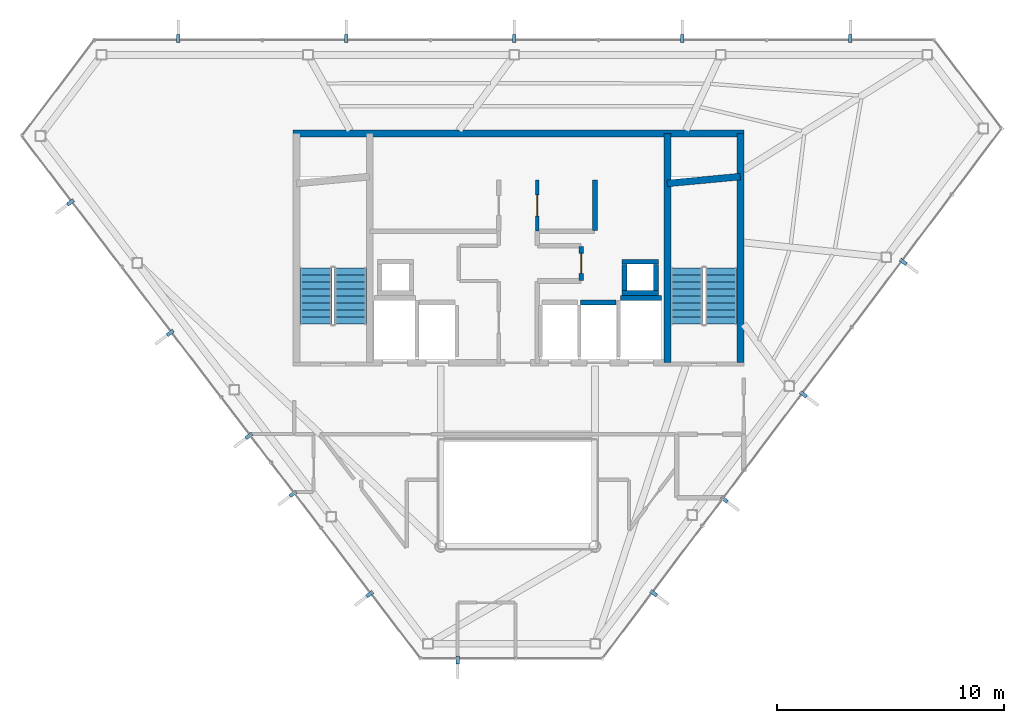
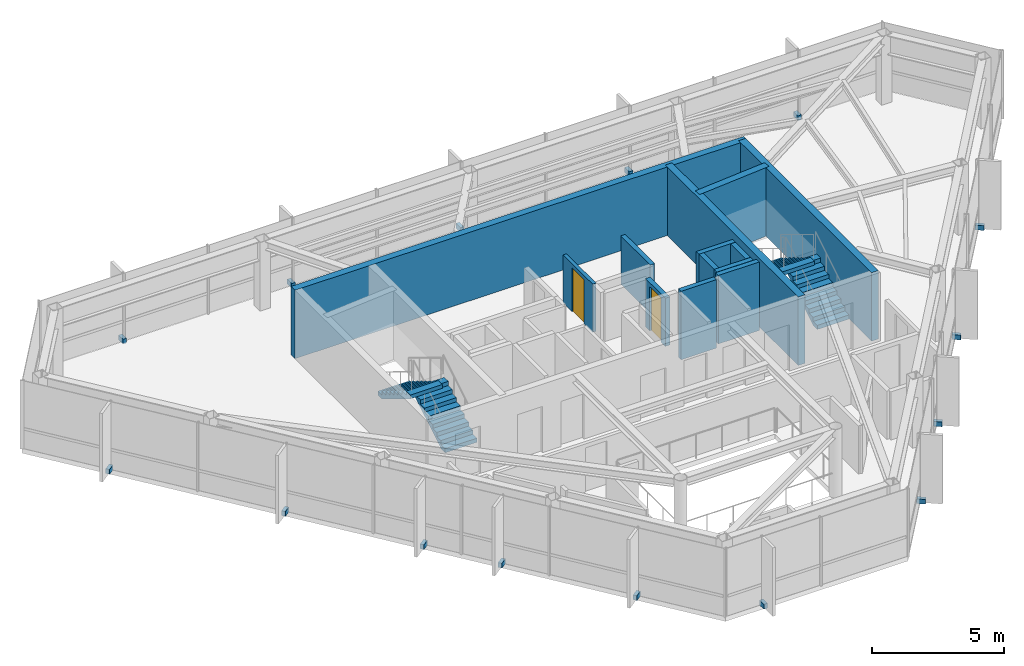
# One storey, part 21 of 22: 15 discrete accessories, 13 walls, 4 stair flights, 2 doors, 2 openings, 2 elements without a shape of their own.
"""IFC4 building model written with IfcOpenShell, lengths in metres."""

from ifc_helpers import new_model, si_unit, direction, frame, frame_2d, origin, origin_2d, place, context, subcontext, project, spatial, polyline, rectangle, outline, extrude, material, layer, layer_set, type_object, element, fill, aggregate, save


model = new_model("IFC4")

# Units and contexts
model_context = context("Model", 3, precision=1e-05, world=origin(), true_north=direction((0.0, 1.0)))
body_context = subcontext(model_context, "Body", "Model", "MODEL_VIEW")
ifc_project = project(units=[si_unit("LENGTHUNIT", "METRE"), si_unit("AREAUNIT", "SQUARE_METRE"), si_unit("VOLUMEUNIT", "CUBIC_METRE"), si_unit("PLANEANGLEUNIT", "RADIAN"), si_unit("MASSUNIT", "GRAM", prefix="KILO")], contexts=[model_context])

# Site, building, storey
site_placement = place(None, origin())
site = spatial("IfcSite", under=ifc_project, at=site_placement, CompositionType="ELEMENT")
building_placement = place(site_placement, origin())
building = spatial("IfcBuilding", under=site, at=building_placement, Name="Zarrinselat Tower", CompositionType="ELEMENT")
storey_placement = place(building_placement, frame((0.0, 0.0, 292.39990234375)))
storey = spatial("IfcBuildingStorey", under=building, at=storey_placement, Name="L75", CompositionType="ELEMENT", Elevation=292.39990234375)

# Wall, opening, door
ifc_material_1 = material(Name="Fire-Rated Gypsum Board Partition", Category="gypsum")
ifc_layer_1 = layer(ifc_material_1, 0.14990234375)
ifc_layer_set_1 = layer_set([ifc_layer_1], Name="Fire-Rated Gypsum Board Partition")
wall_type_1 = type_object("IfcWallType", Name="WAL-PART-EI60", PredefinedType="PARTITIONING", material=ifc_layer_set_1)
wall_1_placement = place(storey_placement, frame((39.25, 39.10498046875, 0.0), z_axis=(0.0, 0.0, 1.0), x_axis=(0.0, 1.0, 0.0)))
wall_1 = element("IfcWall", 1, at=wall_1_placement, inside=storey, type_object=wall_type_1, Name="L75 Partition Wall 12", PredefinedType="PARTITIONING", context=body_context, shape_type="SweptSolid", body=[
    extrude(rectangle(XDim=2.2451171875, YDim=0.14990234375, at=frame_2d((1.12255859375, 0.0))), origin(), (0.0, 0.0, 1.0), 2.235107421875),
])
opening_1_placement = place(wall_1_placement, frame((0.652587890625, 0.0, 0.0)))
opening_1 = element("IfcOpeningElement", 2, at=opening_1_placement, cuts=wall_1, Name="Opening ID-04", PredefinedType="OPENING", context=body_context, shape_type="SweptSolid", body=[
    extrude(rectangle(XDim=0.93994140625, YDim=2.050048828125, at=frame_2d((0.469970703125, 1.02490234375))), frame((0.0, 0.0849609375, 0.0), z_axis=(0.0, -1.0, 0.0), x_axis=(1.0, 0.0, 0.0)), (0.0, 0.0, 1.0), 0.169921875),
])
ifc_material_2 = material(Name="Fire-Rated Gypsum Board Partition")
door_type_1 = type_object("IfcDoorType", Name="DR-INT-FD30-ENT", OperationType="NOTDEFINED", PredefinedType="DOOR", material=ifc_material_2)
door_1_placement = place(opening_1_placement, origin())
door_1 = element("IfcDoor", 3, at=door_1_placement, inside=storey, type_object=door_type_1, Name="L75 Interior Door P12", OperationType="SINGLE_SWING_LEFT", OverallHeight=2.050048828125, OverallWidth=0.93994140625, PredefinedType="DOOR", context=body_context, shape_type="SweptSolid", body=[
    extrude(rectangle(XDim=0.93994140625, YDim=2.050048828125, at=frame_2d((0.469970703125, 1.02490234375))), frame((0.0, 0.02490234375, 0.0), z_axis=(0.0, -1.0, 0.0), x_axis=(1.0, 0.0, 0.0)), (0.0, 0.0, 1.0), 0.050048828125),
])
fill(opening_1, door_1)

ifc_material_3 = material(Name="Concrete C40/50", Category="concrete")
ifc_layer_2 = layer(ifc_material_3, 0.199951171875)
ifc_layer_set_2 = layer_set([ifc_layer_2], Name="Concrete C40/50")
wall_type_2 = type_object("IfcWallType", Name="WAL-PART-PLANT", PredefinedType="PARTITIONING", material=ifc_layer_set_2)
wall_2_placement = place(storey_placement, frame((41.199951171875, 36.919921875, 0.0), z_axis=(0.0, 0.0, 1.0), x_axis=(0.0, 1.0, 0.0)))
wall_2 = element("IfcWall", 4, at=wall_2_placement, inside=storey, type_object=wall_type_2, Name="L75 Partition Wall 9", PredefinedType="PARTITIONING", context=body_context, shape_type="SweptSolid", body=[
    extrude(rectangle(XDim=1.510009765625, YDim=0.199951171875, at=frame_2d((0.7548828125, 0.0))), origin(), (0.0, 0.0, 1.0), 2.235107421875),
])
opening_2_placement = place(wall_2_placement, frame((0.31494140625, 0.0, 0.0)))
opening_2 = element("IfcOpeningElement", 5, at=opening_2_placement, cuts=wall_2, Name="Opening ID-03", PredefinedType="OPENING", context=body_context, shape_type="SweptSolid", body=[
    extrude(rectangle(XDim=0.8798828125, YDim=2.050048828125, at=frame_2d((0.43994140625, 1.02490234375))), frame((0.0, 0.10986328125, 0.0), z_axis=(0.0, -1.0, 0.0), x_axis=(1.0, 0.0, 0.0)), (0.0, 0.0, 1.0), 0.219970703125),
])
ifc_material_4 = material(Name="Steel S355J2", Category="steel")
door_type_2 = type_object("IfcDoorType", Name="DR-INT-FD60-S", OperationType="NOTDEFINED", PredefinedType="DOOR", material=ifc_material_4)
door_2_placement = place(opening_2_placement, origin())
door_2 = element("IfcDoor", 6, at=door_2_placement, inside=storey, type_object=door_type_2, Name="L75 Interior Door P9", OperationType="SINGLE_SWING_RIGHT", OverallHeight=2.050048828125, OverallWidth=0.8798828125, PredefinedType="DOOR", context=body_context, shape_type="SweptSolid", body=[
    extrude(rectangle(XDim=0.8798828125, YDim=2.050048828125, at=frame_2d((0.43994140625, 1.02490234375))), frame((0.0, 0.02490234375, 0.0), z_axis=(0.0, -1.0, 0.0), x_axis=(1.0, 0.0, 0.0)), (0.0, 0.0, 1.0), 0.050048828125),
])
fill(opening_2, door_2)

# Walls
wall_3_placement = place(storey_placement, frame((41.800048828125, 39.1201171875, 0.0), z_axis=(0.0, 0.0, 1.0), x_axis=(0.0, 1.0, 0.0)))
element("IfcWall", 7, at=wall_3_placement, inside=storey, type_object=wall_type_2, Name="L75 Partition Wall 15", PredefinedType="PARTITIONING", context=body_context, shape_type="SweptSolid", body=[
    extrude(rectangle(XDim=2.22998046875, YDim=0.199951171875, at=frame_2d((1.114990234375, 0.0))), origin(), (0.0, 0.0, 1.0), 2.235107421875),
])
ifc_material_5 = material(Name="Concrete C40/50", Category="concrete")
ifc_layer_3 = layer(ifc_material_5, 0.2099609375)
ifc_layer_set_3 = layer_set([ifc_layer_3], Name="Concrete C40/50")
wall_type_3 = type_object("IfcWallType", Name="WAL-SHAFT-210", PredefinedType="SOLIDWALL", material=ifc_layer_set_3)
wall_4_placement = place(storey_placement, frame((42.919921875, 36.155029296875, 0.0), z_axis=(0.0, 0.0, 1.0), x_axis=(1.0, 0.0, 0.0)))
element("IfcWall", 8, at=wall_4_placement, inside=storey, type_object=wall_type_3, Name="L75 Lift FFL2 North Shaft Wall", PredefinedType="SOLIDWALL", context=body_context, shape_type="SweptSolid", body=[
    extrude(rectangle(XDim=1.800048828125, YDim=0.2099609375, at=frame_2d((0.89990234375, 0.0))), origin(), (0.0, 0.0, 1.0), 3.18017578125),
])
wall_5_placement = place(storey_placement, frame((41.169921875, 35.955078125, 0.0), z_axis=(0.0, 0.0, 1.0), x_axis=(1.0, 0.0, 0.0)))
element("IfcWall", 9, at=wall_5_placement, inside=storey, type_object=wall_type_3, Name="L75 Lift PL9 North Shaft Wall", PredefinedType="SOLIDWALL", context=body_context, shape_type="SweptSolid", body=[
    extrude(rectangle(XDim=1.56005859375, YDim=0.2099609375, at=frame_2d((0.780029296875, 0.0))), origin(), (0.0, 0.0, 1.0), 3.18017578125),
])
for number, where, z_axis, x_axis, name in (
    (10, (42.989990234375, 36.375, 0.0), (0.0, 0.0, 1.0), (1.0, 0.0, 0.0), "L75 Core Riser RSR-E S Shaft Wall"),
    (11, (42.989990234375, 37.7451171875, 0.0), (0.0, 0.0, 1.0), (1.0, 0.0, 0.0), "L75 Core Riser RSR-E N Shaft Wall"),
):
    element("IfcWall", number, at=place(storey_placement, frame(where, z_axis=z_axis, x_axis=x_axis)), inside=storey, type_object=wall_type_3, Name=name, PredefinedType="SOLIDWALL", context=body_context, shape_type="SweptSolid", body=[
        extrude(rectangle(XDim=1.60009765625, YDim=0.2099609375, at=frame_2d((0.800048828125, 0.0))), origin(), (0.0, 0.0, 1.0), 3.18017578125),
    ])
for number, where, z_axis, x_axis, name in (
    (12, (43.094970703125, 36.485107421875, 0.0), (0.0, 0.0, 1.0), (0.0, 1.0, 0.0), "L75 Core Riser RSR-E W Shaft Wall"),
    (13, (44.485107421875, 36.485107421875, 0.0), (0.0, 0.0, 1.0), (0.0, 1.0, 0.0), "L75 Core Riser RSR-E E Shaft Wall"),
):
    element("IfcWall", number, at=place(storey_placement, frame(where, z_axis=z_axis, x_axis=x_axis)), inside=storey, type_object=wall_type_3, Name=name, PredefinedType="SOLIDWALL", context=body_context, shape_type="SweptSolid", body=[
        extrude(rectangle(XDim=1.14990234375, YDim=0.2099609375, at=frame_2d((0.574951171875, 0.0))), origin(), (0.0, 0.0, 1.0), 3.18017578125),
    ])
ifc_material_6 = material(Name="Concrete C40/50", Category="concrete")
ifc_layer_4 = layer(ifc_material_6, 0.300048828125)
ifc_layer_set_4 = layer_set([ifc_layer_4], Name="Concrete C40/50")
wall_type_4 = type_object("IfcWallType", Name="WAL-SHEAR-300", PredefinedType="SHEAR", material=ifc_layer_set_4)
wall_6_placement = place(storey_placement, frame((28.5, 43.39990234375, 0.0), z_axis=(0.0, 0.0, 1.0), x_axis=(1.0, 0.0, 0.0)))
element("IfcWall", 14, at=wall_6_placement, inside=storey, type_object=wall_type_4, Name="L75 North Core Shear Wall", PredefinedType="SHEAR", context=body_context, shape_type="SweptSolid", body=[
    extrude(rectangle(XDim=19.860107421875, YDim=0.300048828125, at=frame_2d((9.93017578125, 0.0))), origin(), (0.0, 0.0, 1.0), 3.18017578125),
])
for number, where, z_axis, x_axis, name in (
    (15, (44.989990234375, 33.300048828125, 0.0), (0.0, 0.0, 1.0), (0.0, 1.0, 0.0), "L75 Core Shear Wall ST2W"),
    (16, (48.2099609375, 33.300048828125, 0.0), (0.0, 0.0, 1.0), (0.0, 1.0, 0.0), "L75 Core Shear Wall E"),
):
    element("IfcWall", number, at=place(storey_placement, frame(where, z_axis=z_axis, x_axis=x_axis)), inside=storey, type_object=wall_type_4, Name=name, PredefinedType="SHEAR", context=body_context, shape_type="SweptSolid", body=[
        extrude(rectangle(XDim=10.099853515625, YDim=0.300048828125, at=frame_2d((5.0498046875, 0.0))), origin(), (0.0, 0.0, 1.0), 3.18017578125),
    ])
wall_7_placement = place(storey_placement, frame((44.97998046875, 41.199951171875, 0.0), z_axis=(0.0, 0.0, 1.0), x_axis=(0.995686468965, 0.09278176286, 0.0)))
element("IfcWall", 17, at=wall_7_placement, inside=storey, type_object=wall_type_4, Name="L75 Stair 2 North Shaft Wall", PredefinedType="SHEAR", context=body_context, shape_type="SweptSolid", body=[
    extrude(rectangle(XDim=3.23388671875, YDim=0.300048828125, at=frame_2d((1.616943359375, 0.0))), origin(), (0.0, 0.0, 1.0), 3.18017578125),
])

# Stair, stair flights
ifc_material_7 = material(Name="Concrete C40/50", Category="concrete")
stair_type = type_object("IfcStairType", Name="STR-CORE-155", PredefinedType="HALF_TURN_STAIR", material=ifc_material_7)
stair_1_placement = place(storey_placement, origin())
stair_1 = element("IfcStair", 18, at=stair_1_placement, inside=storey, type_object=stair_type, Name="L75 Core Exit Stair 1", PredefinedType="HALF_TURN_STAIR")
ifc_material_8 = material(Name="Concrete C40/50", Category="concrete")
stair_flight_type = type_object("IfcStairFlightType", Name="STR-FLT-155", PredefinedType="STRAIGHT", material=ifc_material_8)
stair_flight_1_placement = place(storey_placement, frame((31.02001953125, 35.0, 0.0), z_axis=(0.0, 0.0, 1.0), x_axis=(0.0, 1.0, 0.0)))
stair_flight_1 = element("IfcStairFlight", 19, at=stair_flight_1_placement, type_object=stair_flight_type, Name="ST-1 flight 1", NumberOfRisers=9, NumberOfTreads=8, PredefinedType="STRAIGHT", RiserHeight=0.188888889, TreadLength=0.31, context=body_context, shape_type="SweptSolid", body=[
    extrude(outline(polyline([(0.0, 0.0), (0.0, 0.18896484375), (0.31005859375, 0.18896484375), (0.31005859375, 0.377685546875), (0.6201171875, 0.377685546875), (0.6201171875, 0.566650390625), (0.929931640625, 0.566650390625), (0.929931640625, 0.755615234375), (1.239990234375, 0.755615234375), (1.239990234375, 0.9443359375), (1.550048828125, 0.9443359375), (1.550048828125, 1.13330078125), (1.860107421875, 1.13330078125), (1.860107421875, 1.322265625), (2.169921875, 1.322265625), (2.169921875, 1.51123046875), (2.47998046875, 1.51123046875), (2.47998046875, 1.699951171875), (2.47998046875, 1.335693359375), (0.2880859375, 0.0), (0.0, 0.0)])), frame((0.0, 0.699951171875, 0.0), z_axis=(0.0, -1.0, 0.0), x_axis=(1.0, 0.0, 0.0)), (0.0, 0.0, 1.0), 1.39990234375),
])
stair_flight_2_placement = place(storey_placement, frame((29.5, 37.47998046875, 1.7001953125), z_axis=(0.0, 0.0, 1.0), x_axis=(0.0, -1.0, 0.0)))
stair_flight_2 = element("IfcStairFlight", 20, at=stair_flight_2_placement, type_object=stair_flight_type, Name="ST-1 flight 2", NumberOfRisers=9, NumberOfTreads=8, PredefinedType="STRAIGHT", RiserHeight=0.188888889, TreadLength=0.31, context=body_context, shape_type="SweptSolid", body=[
    extrude(outline(polyline([(0.0, 0.0), (0.0, 0.18896484375), (0.31005859375, 0.18896484375), (0.31005859375, 0.377685546875), (0.6201171875, 0.377685546875), (0.6201171875, 0.566650390625), (0.929931640625, 0.566650390625), (0.929931640625, 0.755615234375), (1.239990234375, 0.755615234375), (1.239990234375, 0.9443359375), (1.550048828125, 0.9443359375), (1.550048828125, 1.13330078125), (1.860107421875, 1.13330078125), (1.860107421875, 1.322265625), (2.169921875, 1.322265625), (2.169921875, 1.51123046875), (2.47998046875, 1.51123046875), (2.47998046875, 1.699951171875), (2.47998046875, 1.335693359375), (0.2880859375, 0.0), (0.0, 0.0)])), frame((0.0, 0.699951171875, 0.0), z_axis=(0.0, -1.0, 0.0), x_axis=(1.0, 0.0, 0.0)), (0.0, 0.0, 1.0), 1.39990234375),
])
aggregate(stair_1, [stair_flight_1, stair_flight_2])

stair_2_placement = place(storey_placement, origin())
stair_2 = element("IfcStair", 21, at=stair_2_placement, inside=storey, type_object=stair_type, Name="L75 Core Exit Stair 2", PredefinedType="HALF_TURN_STAIR")
stair_flight_3_placement = place(storey_placement, frame((47.360107421875, 35.0, 0.0), z_axis=(0.0, 0.0, 1.0), x_axis=(0.0, 1.0, 0.0)))
stair_flight_3 = element("IfcStairFlight", 22, at=stair_flight_3_placement, type_object=stair_flight_type, Name="ST-2 flight 1", NumberOfRisers=9, NumberOfTreads=8, PredefinedType="STRAIGHT", RiserHeight=0.188888889, TreadLength=0.31, context=body_context, shape_type="SweptSolid", body=[
    extrude(outline(polyline([(0.0, 0.0), (0.0, 0.18896484375), (0.31005859375, 0.18896484375), (0.31005859375, 0.377685546875), (0.6201171875, 0.377685546875), (0.6201171875, 0.566650390625), (0.929931640625, 0.566650390625), (0.929931640625, 0.755615234375), (1.239990234375, 0.755615234375), (1.239990234375, 0.9443359375), (1.550048828125, 0.9443359375), (1.550048828125, 1.13330078125), (1.860107421875, 1.13330078125), (1.860107421875, 1.322265625), (2.169921875, 1.322265625), (2.169921875, 1.51123046875), (2.47998046875, 1.51123046875), (2.47998046875, 1.699951171875), (2.47998046875, 1.335693359375), (0.2880859375, 0.0), (0.0, 0.0)])), frame((0.0, 0.699951171875, 0.0), z_axis=(0.0, -1.0, 0.0), x_axis=(1.0, 0.0, 0.0)), (0.0, 0.0, 1.0), 1.39990234375),
])
stair_flight_4_placement = place(storey_placement, frame((45.840087890625, 37.47998046875, 1.7001953125), z_axis=(0.0, 0.0, 1.0), x_axis=(0.0, -1.0, 0.0)))
stair_flight_4 = element("IfcStairFlight", 23, at=stair_flight_4_placement, type_object=stair_flight_type, Name="ST-2 flight 2", NumberOfRisers=9, NumberOfTreads=8, PredefinedType="STRAIGHT", RiserHeight=0.188888889, TreadLength=0.31, context=body_context, shape_type="SweptSolid", body=[
    extrude(outline(polyline([(0.0, 0.0), (0.0, 0.18896484375), (0.31005859375, 0.18896484375), (0.31005859375, 0.377685546875), (0.6201171875, 0.377685546875), (0.6201171875, 0.566650390625), (0.929931640625, 0.566650390625), (0.929931640625, 0.755615234375), (1.239990234375, 0.755615234375), (1.239990234375, 0.9443359375), (1.550048828125, 0.9443359375), (1.550048828125, 1.13330078125), (1.860107421875, 1.13330078125), (1.860107421875, 1.322265625), (2.169921875, 1.322265625), (2.169921875, 1.51123046875), (2.47998046875, 1.51123046875), (2.47998046875, 1.699951171875), (2.47998046875, 1.335693359375), (0.2880859375, 0.0), (0.0, 0.0)])), frame((0.0, 0.699951171875, 0.0), z_axis=(0.0, -1.0, 0.0), x_axis=(1.0, 0.0, 0.0)), (0.0, 0.0, 1.0), 1.39990234375),
])
aggregate(stair_2, [stair_flight_3, stair_flight_4])

# Discrete accessories
ifc_material_9 = material(Name="Steel S355J2", Category="steel")
discrete_accessory_type = type_object("IfcDiscreteAccessoryType", Name="ACC-FIN-BRACKET", PredefinedType="BRACKET", material=ifc_material_9)
for number, where, z_axis, x_axis, name in (
    (24, (53.054443359375, 47.586669921875, -0.0498046875), (0.0, 0.0, 1.0), (0.0, 1.0, 0.0), "L75 Fin Fixing Bracket CW-L75-E01-01"),
    (25, (45.6494140625, 47.586669921875, -0.0498046875), (0.0, 0.0, 1.0), (0.0, 1.0, 0.0), "L75 Fin Fixing Bracket CW-L75-E01-03"),
    (26, (38.244140625, 47.586669921875, -0.0498046875), (0.0, 0.0, 1.0), (0.0, 1.0, 0.0), "L75 Fin Fixing Bracket CW-L75-E01-05"),
    (27, (30.8388671875, 47.586669921875, -0.0498046875), (0.0, 0.0, 1.0), (0.0, 1.0, 0.0), "L75 Fin Fixing Bracket CW-L75-E01-07"),
    (28, (23.43359375, 47.586669921875, -0.0498046875), (0.0, 0.0, 1.0), (0.0, 1.0, 0.0), "L75 Fin Fixing Bracket CW-L75-E01-09"),
    (29, (18.686767578125, 40.3671875, -0.0498046875), (0.0, 0.0, 1.0), (-0.794853219631, -0.606801746242, 0.0), "L75 Fin Fixing Bracket CW-L75-E03-01"),
    (30, (23.080810546875, 34.611328125, -0.0498046875), (0.0, 0.0, 1.0), (-0.794853219631, -0.606801746242, 0.0), "L75 Fin Fixing Bracket CW-L75-E03-03"),
    (31, (26.546875, 30.071044921875, -0.0498046875), (0.0, 0.0, 1.0), (-0.794853219631, -0.606801746242, 0.0), "L75 Fin Fixing Bracket CW-L75-E03-05"),
    (32, (28.493408203125, 27.52099609375, -0.0498046875), (0.0, 0.0, 1.0), (-0.794853219631, -0.606801746242, 0.0), "L75 Fin Fixing Bracket CW-L75-E03-07"),
    (33, (31.868896484375, 23.099609375, -0.0498046875), (0.0, 0.0, 1.0), (-0.794853219631, -0.606801746242, 0.0), "L75 Fin Fixing Bracket CW-L75-E03-09"),
    (34, (35.74609375, 20.194091796875, -0.0498046875), (0.0, 0.0, 1.0), (0.0, -1.0, 0.0), "L75 Fin Fixing Bracket CW-L75-E04-01"),
    (35, (44.385498046875, 23.142333984375, -0.0498046875), (0.0, 0.0, 1.0), (0.798742776655, -0.601672649155, 0.0), "L75 Fin Fixing Bracket CW-L75-E05-01"),
    (36, (47.49609375, 27.271728515625, -0.0498046875), (0.0, 0.0, 1.0), (0.798742776655, -0.601672649155, 0.0), "L75 Fin Fixing Bracket CW-L75-E05-03"),
    (37, (50.984619140625, 31.90283203125, -0.0498046875), (0.0, 0.0, 1.0), (0.798742776655, -0.601672649155, 0.0), "L75 Fin Fixing Bracket CW-L75-E05-05"),
    (38, (55.384033203125, 37.743408203125, -0.0498046875), (0.0, 0.0, 1.0), (0.798742776655, -0.601672649155, 0.0), "L75 Fin Fixing Bracket CW-L75-E05-07"),
):
    element("IfcDiscreteAccessory", number, at=place(storey_placement, frame(where, z_axis=z_axis, x_axis=x_axis)), inside=storey, type_object=discrete_accessory_type, Name=name, PredefinedType="BRACKET", context=body_context, shape_type="SweptSolid", body=[
        extrude(rectangle(XDim=0.340087890625, YDim=0.159912109375, at=origin_2d()), origin(), (0.0, 0.0, 1.0), 0.219970703125),
    ])

save(model, "model.ifc")
